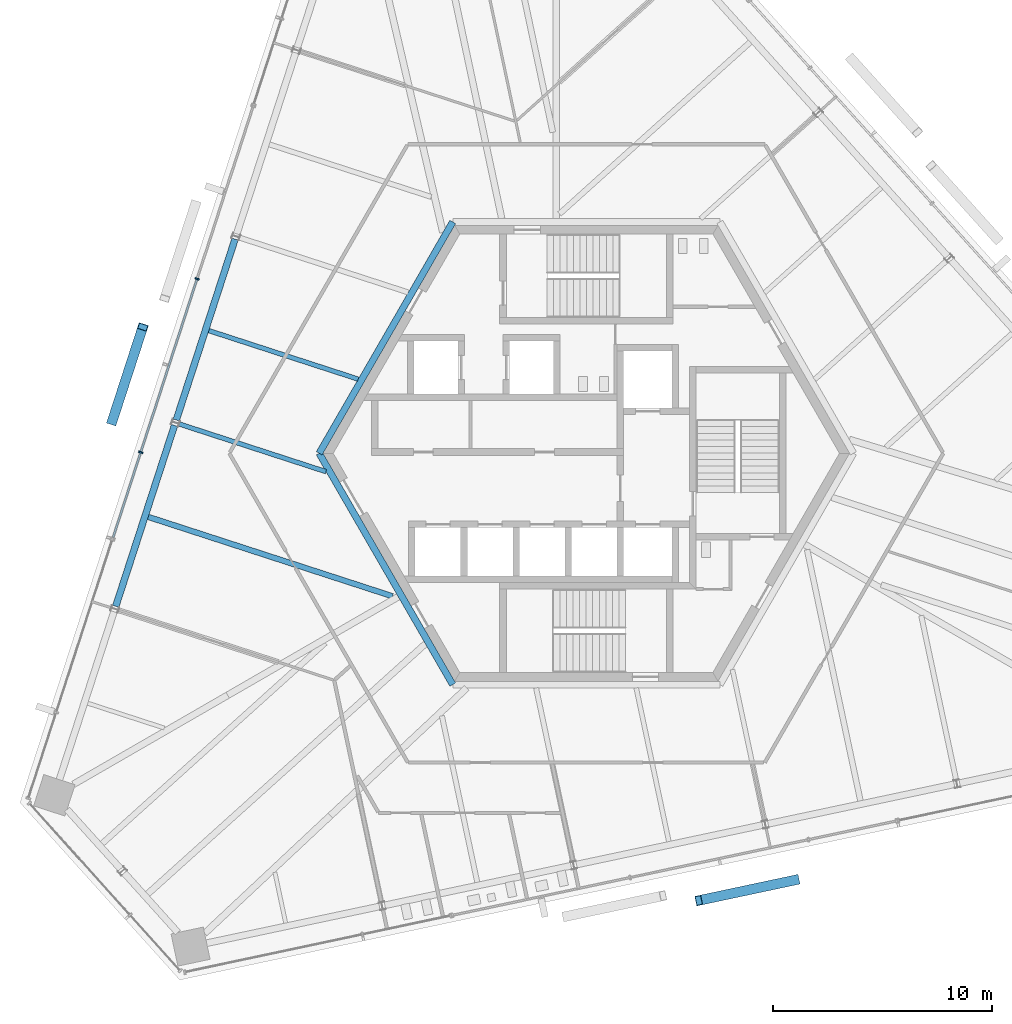
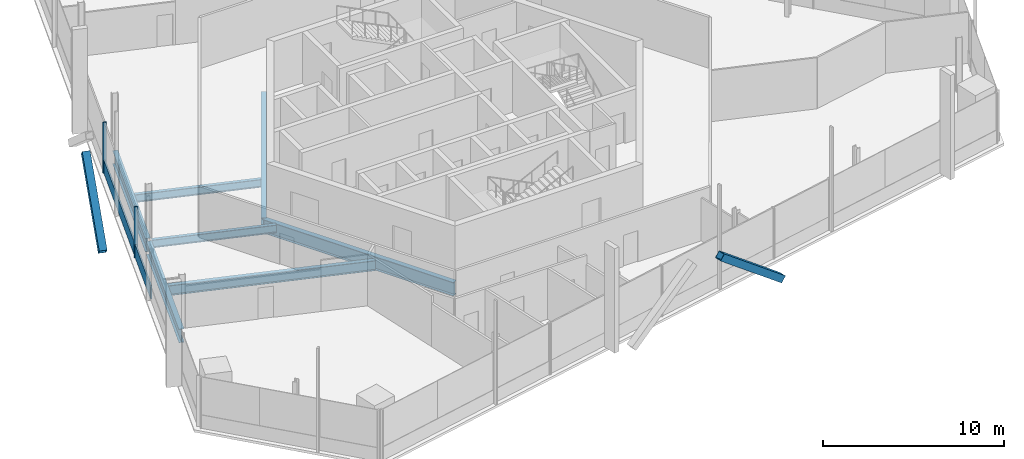
# One storey, part 5 of 17: 7 beams, 6 members, 1 element without a shape of its own.
"""IFC4 building model written with IfcOpenShell, lengths in metres."""

from ifc_helpers import new_model, si_unit, direction, frame, origin, origin_2d, place, context, subcontext, project, spatial, rectangle, hollow_rectangle, i_section, extrude, source, transform, mapped, material, material_profile, profile_set, type_object, element, aggregate, save


model = new_model("IFC4")

# Units and contexts
model_context = context("Model", 3, precision=1e-05, world=origin(), true_north=direction((0.0, 1.0)))
body_context = subcontext(model_context, "Body", "Model", "MODEL_VIEW")
ifc_project = project(units=[si_unit("LENGTHUNIT", "METRE"), si_unit("AREAUNIT", "SQUARE_METRE"), si_unit("VOLUMEUNIT", "CUBIC_METRE"), si_unit("PLANEANGLEUNIT", "RADIAN"), si_unit("MASSUNIT", "GRAM", prefix="KILO")], contexts=[model_context])

# Site, building, storey
site_placement = place(None, origin())
site = spatial("IfcSite", under=ifc_project, at=site_placement, CompositionType="ELEMENT")
building_placement = place(site_placement, origin())
building = spatial("IfcBuilding", under=site, at=building_placement, Name="Triune Harvest Tower", CompositionType="ELEMENT")
storey_placement = place(building_placement, frame((0.0, 0.0, 273.89990234375)))
storey = spatial("IfcBuildingStorey", under=building, at=storey_placement, Name="L72", CompositionType="ELEMENT", Elevation=273.89990234375)

# Beams
ifc_material_1 = material(Name="Steel ASTM A992 Gr 50", Category="steel")
ifc_material_profile_1 = material_profile(ifc_material_1, i_section(OverallWidth=0.3046875, OverallDepth=0.914306640625, WebThickness=0.0166015625, FlangeThickness=0.02587890625, at=origin_2d()), Name="W36x160")
ifc_profile_set_1 = profile_set([ifc_material_profile_1], Name="Steel ASTM A992 Gr 50")
beam_type_1 = type_object("IfcBeamType", Name="CG-1 Core ring girder W36x160", PredefinedType="BEAM", material=ifc_profile_set_1)
shared_shape_1 = source(origin(), body_context, "Body", "SweptSolid", [
    extrude(i_section(OverallWidth=0.3046875, OverallDepth=0.914306640625, WebThickness=0.0166015625, FlangeThickness=0.02587890625, at=origin_2d()), origin(), (0.0, 0.0, 1.0), 12.176025390625),
])
for number, where, z_axis, x_axis, name in (
    (1, (-6.087890625, 10.544677734375, -0.6171875), (-0.5000099932, -0.866019634131, 0.0), (0.866019634131, -0.5000099932, 0.0), "beam/L72/CG3"),
    (2, (-12.176025390625, 0.0, -0.6171875), (0.5000099932, -0.866019634131, 0.0), (0.866019634131, 0.5000099932, 0.0), "beam/L72/CG4"),
):
    element("IfcBeam", number, at=place(storey_placement, frame(where, z_axis=z_axis, x_axis=x_axis)), inside=storey, type_object=beam_type_1, Name=name, PredefinedType="BEAM", context=body_context, shape_type="MappedRepresentation", body=[
        mapped(shared_shape_1, transform((0.0, 0.0, 0.0), scale=1.0)),
    ])
ifc_material_2 = material(Name="Steel ASTM A992 Gr 50", Category="steel")
ifc_material_profile_2 = material_profile(ifc_material_2, i_section(OverallWidth=0.3046875, OverallDepth=0.914306640625, WebThickness=0.0166015625, FlangeThickness=0.02587890625, at=origin_2d()), Name="W36x160")
ifc_profile_set_2 = profile_set([ifc_material_profile_2], Name="Steel ASTM A992 Gr 50")
beam_type_2 = type_object("IfcBeamType", Name="SB-1 Spandrel beam W36x160", PredefinedType="SPANDREL", material=ifc_profile_set_2)
shared_shape_2 = source(origin(), body_context, "Body", "SweptSolid", [
    extrude(i_section(OverallWidth=0.3046875, OverallDepth=0.914306640625, WebThickness=0.0166015625, FlangeThickness=0.02587890625, at=origin_2d()), origin(), (0.0, 0.0, 1.0), 8.67138671875),
])
for number, where, z_axis, x_axis, name in (
    (3, (-16.011474609375, 9.76123046875, -0.6171875), (-0.309030684676, -0.951052067938, 0.0), (0.951052067938, -0.309030684676, 0.0), "beam/L72/SB10"),
    (4, (-18.7705078125, 1.270263671875, -0.6171875), (-0.309022409974, -0.951054756643, 0.0), (0.951054756643, -0.309022409974, 0.0), "beam/L72/SB11"),
):
    element("IfcBeam", number, at=place(storey_placement, frame(where, z_axis=z_axis, x_axis=x_axis)), inside=storey, type_object=beam_type_2, Name=name, PredefinedType="SPANDREL", context=body_context, shape_type="MappedRepresentation", body=[
        mapped(shared_shape_2, transform((0.0, 0.0, 0.0), scale=1.0)),
    ])
ifc_material_3 = material(Name="Steel ASTM A992 Gr 50", Category="steel")
ifc_material_profile_3 = material_profile(ifc_material_3, i_section(OverallWidth=0.253662109375, OverallDepth=0.683349609375, WebThickness=0.012451171875, FlangeThickness=0.01904296875, at=origin_2d()), Name="W27x94")
ifc_profile_set_3 = profile_set([ifc_material_profile_3], Name="Steel ASTM A992 Gr 50")
beam_type_3 = type_object("IfcBeamType", Name="JT-4 Floor joist W27x94", PredefinedType="JOIST", material=ifc_profile_set_3)
shared_shape_3 = source(origin(), body_context, "Body", "SweptSolid", [
    extrude(i_section(OverallWidth=0.253662109375, OverallDepth=0.683349609375, WebThickness=0.012451171875, FlangeThickness=0.01904296875, at=origin_2d()), origin(), (0.0, 0.0, 1.0), 11.70068359375),
])
beam_1_placement = place(storey_placement, frame((-19.96533203125, -2.900390625, -0.50146484375), z_axis=(0.951055533623, -0.309020018713, 0.0), x_axis=(0.309020018713, 0.951055533623, 0.0)))
element("IfcBeam", 5, at=beam_1_placement, inside=storey, type_object=beam_type_3, Name="beam/L72/JT18", PredefinedType="JOIST", context=body_context, shape_type="MappedRepresentation", body=[
    mapped(shared_shape_3, transform((0.0, 0.0, 0.0), scale=1.0)),
])
ifc_material_4 = material(Name="Steel ASTM A992 Gr 50", Category="steel")
ifc_material_profile_4 = material_profile(ifc_material_4, i_section(OverallWidth=0.2099609375, OverallDepth=0.535888671875, WebThickness=0.010986328125, FlangeThickness=0.017333984375, at=origin_2d()), Name="W21x68")
ifc_profile_set_4 = profile_set([ifc_material_profile_4], Name="Steel ASTM A992 Gr 50")
beam_type_4 = type_object("IfcBeamType", Name="JT-2 Floor joist W21x68", PredefinedType="JOIST", material=ifc_profile_set_4)
shared_shape_4 = source(origin(), body_context, "Body", "SweptSolid", [
    extrude(i_section(OverallWidth=0.2099609375, OverallDepth=0.535888671875, WebThickness=0.010986328125, FlangeThickness=0.017333984375, at=origin_2d()), origin(), (0.0, 0.0, 1.0), 7.15576171875),
])
beam_2_placement = place(storey_placement, frame((-17.206298828125, 5.5908203125, -0.427978515625), z_axis=(0.95104785783, -0.30904364112, 0.0), x_axis=(0.30904364112, 0.95104785783, 0.0)))
element("IfcBeam", 6, at=beam_2_placement, inside=storey, type_object=beam_type_4, Name="beam/L72/JT16", PredefinedType="JOIST", context=body_context, shape_type="MappedRepresentation", body=[
    mapped(shared_shape_4, transform((0.0, 0.0, 0.0), scale=1.0)),
])
shared_shape_5 = source(origin(), body_context, "Body", "SweptSolid", [
    extrude(i_section(OverallWidth=0.2099609375, OverallDepth=0.535888671875, WebThickness=0.010986328125, FlangeThickness=0.017333984375, at=origin_2d()), origin(), (0.0, 0.0, 1.0), 7.03515625),
])
beam_3_placement = place(storey_placement, frame((-18.559326171875, 1.336669921875, -0.427978515625), z_axis=(0.951053958357, -0.309024866787, 0.0), x_axis=(0.309024866787, 0.951053958357, 0.0)))
element("IfcBeam", 7, at=beam_3_placement, inside=storey, type_object=beam_type_4, Name="beam/L72/JT17", PredefinedType="JOIST", context=body_context, shape_type="MappedRepresentation", body=[
    mapped(shared_shape_5, transform((0.0, 0.0, 0.0), scale=1.0)),
])

# Members
ifc_material_5 = material(Name="Steel ASTM A572 Gr 50", Category="steel")
ifc_material_profile_5 = material_profile(ifc_material_5, hollow_rectangle(XDim=0.449951171875, YDim=0.449951171875, WallThickness=0.02490234375, at=origin_2d()), Name="Box 450x450x25")
ifc_profile_set_5 = profile_set([ifc_material_profile_5], Name="Steel ASTM A572 Gr 50")
member_type_1 = type_object("IfcMemberType", Name="BR-4 Brace Box 450x450x25", PredefinedType="BRACE", material=ifc_profile_set_5)
shared_shape_6 = source(origin(), body_context, "Body", "SweptSolid", [
    extrude(hollow_rectangle(XDim=0.449951171875, YDim=0.449951171875, WallThickness=0.02490234375, at=origin_2d()), origin(), (0.0, 0.0, 1.0), 5.789306640625),
])
for number, where, z_axis, x_axis, name in (
    (8, (-21.616455078125, 1.444580078125, 0.0), (0.241975030666, 0.74481753078, 0.6218479962), (-0.951068094828, 0.308981357045, 0.0), "brace/B7-F3/d2/5"),
    (9, (9.55712890625, -19.442626953125, 0.0), (-0.766009436387, -0.162825502857, 0.621866061934), (0.207918008245, -0.978146257902, 0.0), "brace/B7-F5/d2/5"),
):
    element("IfcMember", number, at=place(storey_placement, frame(where, z_axis=z_axis, x_axis=x_axis)), inside=storey, type_object=member_type_1, Name=name, PredefinedType="BRACE", context=body_context, shape_type="MappedRepresentation", body=[
        mapped(shared_shape_6, transform((0.0, 0.0, 0.0), scale=1.0)),
    ])

# Curtain wall, members
ifc_material_6 = material(Name="Aluminium bronze anodised", Category="aluminium")
curtain_wall_type = type_object("IfcCurtainWallType", Name="CW-7 Tower stick curtain wall with insulated spandrel infill", PredefinedType="NOTDEFINED", material=ifc_material_6)
curtain_wall_placement = place(storey_placement, origin())
curtain_wall = element("IfcCurtainWall", 10, at=curtain_wall_placement, inside=storey, type_object=curtain_wall_type, Name="CW-7 B7-F3 L72 run 1001")
ifc_material_7 = material(Name="Aluminium bronze anodised", Category="aluminium")
ifc_material_profile_6 = material_profile(ifc_material_7, rectangle(XDim=0.199951171875, YDim=0.074951171875, at=origin_2d()), Name="MU-1 mullion 75 x 200")
ifc_profile_set_6 = profile_set([ifc_material_profile_6], Name="Aluminium bronze anodised")
member_type_2 = type_object("IfcMemberType", Name="MU-1 mullion 75 x 200", PredefinedType="MULLION", material=ifc_profile_set_6)
shared_shape_7 = source(origin(), body_context, "Body", "SweptSolid", [
    extrude(rectangle(XDim=0.199951171875, YDim=0.074951171875, at=origin_2d()), origin(), (0.0, 0.0, 1.0), 3.440185546875),
])
member_1_placement = place(storey_placement, frame((-17.74169921875, 7.949462890625, 0.0), z_axis=(0.0, 0.0, 1.0), x_axis=(0.951055533932, -0.309020017761, 0.0)))
member_1 = element("IfcMember", 11, at=member_1_placement, type_object=member_type_2, Name="CW-7 mullion B7-F3 1001.3", PredefinedType="MULLION", context=body_context, shape_type="MappedRepresentation", body=[
    mapped(shared_shape_7, transform((0.0, 0.0, 0.0), scale=1.0)),
])
member_2_placement = place(storey_placement, frame((-20.31005859375, 0.044677734375, 0.0), z_axis=(0.0, 0.0, 1.0), x_axis=(0.951055533932, -0.309020017761, 0.0)))
member_2 = element("IfcMember", 12, at=member_2_placement, type_object=member_type_2, Name="CW-7 mullion B7-F3 1001.5", PredefinedType="MULLION", context=body_context, shape_type="MappedRepresentation", body=[
    mapped(shared_shape_7, transform((0.0, 0.0, 0.0), scale=1.0)),
])
ifc_material_8 = material(Name="Aluminium bronze anodised", Category="aluminium")
ifc_material_profile_7 = material_profile(ifc_material_8, rectangle(XDim=0.090087890625, YDim=0.89990234375, at=origin_2d()), Name="TR-1 transom 90 x 900")
ifc_profile_set_7 = profile_set([ifc_material_profile_7], Name="Aluminium bronze anodised")
member_type_3 = type_object("IfcMemberType", Name="TR-1 transom 90 x 900", PredefinedType="USERDEFINED", material=ifc_profile_set_7)
shared_shape_8 = source(origin(), body_context, "Body", "SweptSolid", [
    extrude(rectangle(XDim=0.090087890625, YDim=0.89990234375, at=origin_2d()), origin(), (0.0, 0.0, 1.0), 4.04345703125),
])
member_3_placement = place(storey_placement, frame((-20.32177734375, 0.009033203125, 0.4501953125), z_axis=(-0.309027363751, -0.951053147018, 0.0), x_axis=(0.951053147018, -0.309027363751, 0.0)))
member_3 = element("IfcMember", 13, at=member_3_placement, type_object=member_type_3, Name="CW-7 transom B7-F3 1001.3", ObjectType="TRANSOM", PredefinedType="USERDEFINED", context=body_context, shape_type="MappedRepresentation", body=[
    mapped(shared_shape_8, transform((0.0, 0.0, 0.0), scale=1.0)),
])
shared_shape_9 = source(origin(), body_context, "Body", "SweptSolid", [
    extrude(rectangle(XDim=0.090087890625, YDim=0.89990234375, at=origin_2d()), origin(), (0.0, 0.0, 1.0), 8.236572265625),
])
member_4_placement = place(storey_placement, frame((-17.75341796875, 7.913818359375, 0.4501953125), z_axis=(-0.309006984033, -0.951059768794, 0.0), x_axis=(0.951059768794, -0.309006984033, 0.0)))
member_4 = element("IfcMember", 14, at=member_4_placement, type_object=member_type_3, Name="CW-7 transom B7-F3 1001.2", ObjectType="TRANSOM", PredefinedType="USERDEFINED", context=body_context, shape_type="MappedRepresentation", body=[
    mapped(shared_shape_9, transform((0.0, 0.0, 0.0), scale=1.0)),
])
aggregate(curtain_wall, [member_1, member_2, member_4, member_3])

save(model, "model.ifc")
